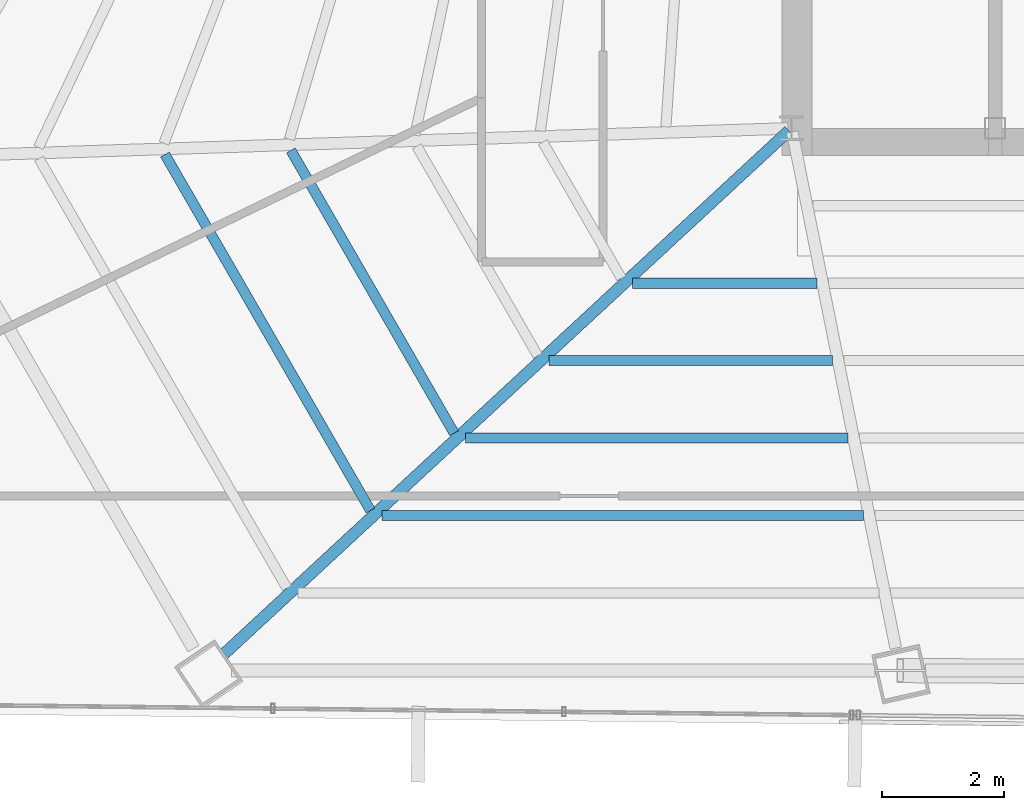
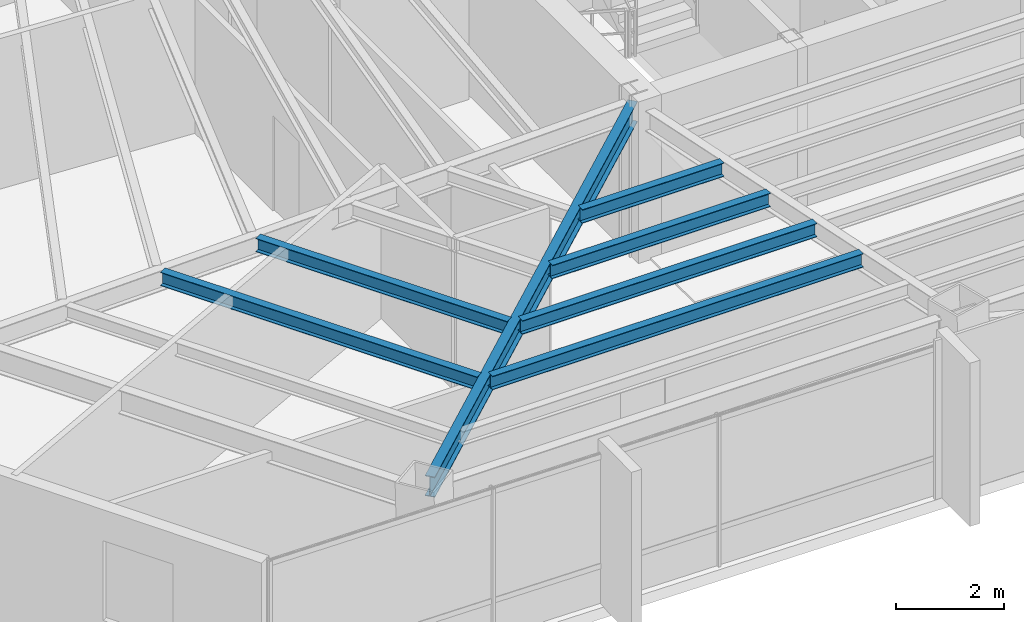
# One storey, part 6 of 41: 7 beams.
"""IFC4 building model written with IfcOpenShell, lengths in metres."""

import ifcopenshell
import ifcopenshell.guid

model = None  # the IFC model being written
_history = None  # IfcOwnerHistory: only IFC2X3 demands one
_inside = {}  # id of a spatial element -> (the spatial element, [elements in it])
_under = {}  # id of a project, library or spatial element -> (it, [spatial elements below it])
_declared = {}  # id of a project -> (the project, [libraries it declares])
_typed = {}  # id of a type object -> (the type object, [elements of that type])
_made_of = {}  # id of a material, layer set ... -> (it, [elements and type objects made of it])


def new_model(schema):
    """Start an empty IFC model of exactly this schema.

    Asked for "IFC4X3", IfcOpenShell would pick the latest addendum, in which some entities
    have other attributes; the version numbers below select the first issue.
    IFC2X3 requires an IfcOwnerHistory on every rooted entity: one is made here for all.
    """
    global model, _history
    if schema == "IFC4X3":
        model = ifcopenshell.file(schema_version=(4, 3, 0, 0))
    else:
        model = ifcopenshell.file(schema=schema)
    _inside.clear()
    _under.clear()
    _declared.clear()
    _typed.clear()
    _made_of.clear()
    _history = None
    if model.schema == "IFC2X3":
        org = make("IfcOrganization", Name="unknown")
        user = make(
            "IfcPersonAndOrganization",
            ThePerson=make("IfcPerson", FamilyName="unknown"),
            TheOrganization=org,
        )
        app = make(
            "IfcApplication",
            ApplicationDeveloper=org,
            Version="unknown",
            ApplicationFullName="unknown",
            ApplicationIdentifier="unknown",
        )
        _history = make(
            "IfcOwnerHistory",
            OwningUser=user,
            OwningApplication=app,
            ChangeAction="ADDED",
            CreationDate=0,
        )
    return model


def make(cls, **values):
    """One entity of the class cls with the attributes given. An attribute that is None is left unset."""
    return model.create_entity(
        cls, **{name: value for name, value in values.items() if value is not None}
    )


def rooted(cls, **values):
    """An entity with a GlobalId (a new one), such as an element, a storey or a relation."""
    return make(cls, GlobalId=ifcopenshell.guid.new(), OwnerHistory=_history, **values)


def si_unit(unit_type, name, prefix=None):
    """IfcSIUnit, for example si_unit("LENGTHUNIT", "METRE", prefix="MILLI")."""
    return make("IfcSIUnit", UnitType=unit_type, Prefix=prefix, Name=name)


def assignment(units):
    """IfcUnitAssignment: the units of a project."""
    return None if units is None else make("IfcUnitAssignment", Units=units)


def point(xyz):
    """IfcCartesianPoint."""
    return None if xyz is None else make("IfcCartesianPoint", Coordinates=xyz)


def direction(xyz):
    """IfcDirection."""
    return None if xyz is None else make("IfcDirection", DirectionRatios=xyz)


def frame(location, z_axis=None, x_axis=None):
    """IfcAxis2Placement3D, a coordinate frame: its origin and axes. An axis left out is left unset."""
    return make(
        "IfcAxis2Placement3D",
        Location=point(location),
        Axis=direction(z_axis),
        RefDirection=direction(x_axis),
    )


def frame_2d(location, x_axis=None):
    """IfcAxis2Placement2D, a coordinate frame in the plane: its origin and x axis."""
    return make(
        "IfcAxis2Placement2D", Location=point(location), RefDirection=direction(x_axis)
    )


def origin():
    """The frame at (0, 0, 0) with its axes left unset."""
    return frame((0.0, 0.0, 0.0))


def origin_2d():
    """The frame at (0, 0) in the plane with its x axis left unset."""
    return frame_2d((0.0, 0.0))


def place(relative_to, where):
    """IfcLocalPlacement: puts the frame where relative to a parent placement (None: the world)."""
    return make(
        "IfcLocalPlacement", PlacementRelTo=relative_to, RelativePlacement=where
    )


def context(
    kind, dimensions, precision=None, world=None, true_north=None, identifier=None
):
    """IfcGeometricRepresentationContext, for example the 3D "Model" context."""
    return make(
        "IfcGeometricRepresentationContext",
        ContextIdentifier=identifier,
        ContextType=kind,
        CoordinateSpaceDimension=dimensions,
        Precision=precision,
        WorldCoordinateSystem=world,
        TrueNorth=true_north,
    )


def subcontext(parent, identifier, kind, view, scale=None):
    """IfcGeometricRepresentationSubContext, for example "Body" below "Model"."""
    return make(
        "IfcGeometricRepresentationSubContext",
        ContextIdentifier=identifier,
        ContextType=kind,
        ParentContext=parent,
        TargetScale=scale,
        TargetView=view,
    )


def project(units=None, contexts=None):
    """IfcProject with its units and contexts."""
    return rooted(
        "IfcProject",
        Name="project",
        RepresentationContexts=contexts,
        UnitsInContext=assignment(units),
    )


def spatial(cls, under=None, at=None, **own):
    """A site, building, storey or space (cls), placed at a placement, below another one or the project."""
    s = rooted(cls, ObjectPlacement=at, **own)
    if under is not None:
        _under.setdefault(under.id(), (under, []))[1].append(s)
    return s


def profile(cls, at=None, kind="AREA", **sizes):
    """A parametric profile (cls). Its sizes go by their IFC names, for example OverallWidth=200.0."""
    return make(cls, ProfileType=kind, Position=at, **sizes)


def i_section(**sizes):
    """IfcIShapeProfileDef."""
    return profile("IfcIShapeProfileDef", **sizes)


def extrude(swept, where, along, depth):
    """IfcExtrudedAreaSolid: the profile swept, set in the frame where, extruded along a direction by depth."""
    return make(
        "IfcExtrudedAreaSolid",
        SweptArea=swept,
        Position=where,
        ExtrudedDirection=direction(along),
        Depth=depth,
    )


def shape(context_of_items, identifier, shape_type, items):
    """IfcShapeRepresentation: the items that make up one representation, for example the "Body"."""
    return make(
        "IfcShapeRepresentation",
        ContextOfItems=context_of_items,
        RepresentationIdentifier=identifier,
        RepresentationType=shape_type,
        Items=items,
    )


def source(mapping_origin, context_of_items, identifier, shape_type, items):
    """IfcRepresentationMap: a shape defined once, which mapped items show again and again."""
    return make(
        "IfcRepresentationMap",
        MappingOrigin=mapping_origin,
        MappedRepresentation=shape(context_of_items, identifier, shape_type, items),
    )


def transform(
    local_origin,
    x_axis=None,
    y_axis=None,
    z_axis=None,
    scale=None,
    scale2=None,
    scale3=None,
    uniform=True,
):
    """IfcCartesianTransformationOperator3D, or its non-uniform kind. x_axis, y_axis, z_axis: its Axis1, 2, 3."""
    if uniform:
        return make(
            "IfcCartesianTransformationOperator3D",
            Axis1=direction(x_axis),
            Axis2=direction(y_axis),
            LocalOrigin=point(local_origin),
            Scale=scale,
            Axis3=direction(z_axis),
        )
    return make(
        "IfcCartesianTransformationOperator3DnonUniform",
        Axis1=direction(x_axis),
        Axis2=direction(y_axis),
        LocalOrigin=point(local_origin),
        Scale=scale,
        Axis3=direction(z_axis),
        Scale2=scale2,
        Scale3=scale3,
    )


def mapped(mapping_source, mapping_target):
    """IfcMappedItem: shows the shape of a source again, moved by a transform."""
    return make(
        "IfcMappedItem", MappingSource=mapping_source, MappingTarget=mapping_target
    )


def material(Name=None, Category=None):
    """IfcMaterial."""
    return make("IfcMaterial", Name=Name, Category=Category)


def material_profile(
    of_material, cross_section, Name=None, Category=None, Priority=None
):
    """IfcMaterialProfile: a cross section and its material."""
    return make(
        "IfcMaterialProfile",
        Name=Name,
        Material=of_material,
        Profile=cross_section,
        Priority=Priority,
        Category=Category,
    )


def profile_set(profiles, Name=None, composite=None):
    """IfcMaterialProfileSet."""
    return make(
        "IfcMaterialProfileSet",
        Name=Name,
        MaterialProfiles=profiles,
        CompositeProfile=composite,
    )


def made_of(thing, what):
    """Note that an element or type object is made of a material, layer set ...; save() writes the relation."""
    if what is not None:
        _made_of.setdefault(what.id(), (what, []))[1].append(thing)
    return thing


def type_object(cls, material=None, **own):
    """A type object (cls), such as IfcWallType, which elements share."""
    return made_of(rooted(cls, **own), material)


def type_shapes(of_type, sources):
    """Give a type object the sources (RepresentationMaps) that its elements show as mapped items."""
    of_type.RepresentationMaps = sources


def element(
    cls,
    number,
    at=None,
    inside=None,
    cuts=None,
    type_object=None,
    material=None,
    context=None,
    identifier="Body",
    shape_type=None,
    held_by="IfcProductDefinitionShape",
    body=None,
    shapes=None,
    **own,
):
    """One element of the class cls, such as IfcWall. Its Tag is "e" and its number.

    at: its placement. inside: the storey or other place that contains it. cuts: it is an
    opening in that element (IfcRelVoidsElement). A single representation is given by context,
    identifier, shape_type and body (its items); several are given by shapes. held_by: the class
    of the entity that holds the representations. save() writes the other relations.
    """
    e = rooted(cls, Tag="e%d" % number, ObjectPlacement=at, **own)
    if body is not None:
        shapes = [shape(context, identifier, shape_type, body)]
    if shapes is not None:
        e.Representation = make(held_by, Representations=shapes)
    if inside is not None:
        _inside.setdefault(inside.id(), (inside, []))[1].append(e)
    if cuts is not None:
        rooted(
            "IfcRelVoidsElement", RelatingBuildingElement=cuts, RelatedOpeningElement=e
        )
    if type_object is not None:
        _typed.setdefault(type_object.id(), (type_object, []))[1].append(e)
    return made_of(e, material)


def aggregate(whole, parts):
    """IfcRelAggregates: a whole, such as a stair, and the parts it consists of."""
    return rooted("IfcRelAggregates", RelatingObject=whole, RelatedObjects=parts)


def save(model, path):
    """Write the relations noted so far, then the file.

    IfcRelAggregates (storeys below a building ...), IfcRelContainedInSpatialStructure (elements
    in a storey), IfcRelDefinesByType, IfcRelAssociatesMaterial and IfcRelDeclares: one each for
    every whole, place, type object, material and project.
    """
    for whole, parts in _under.values():
        aggregate(whole, parts)
    for where, things in _inside.values():
        rooted(
            "IfcRelContainedInSpatialStructure",
            RelatedElements=things,
            RelatingStructure=where,
        )
    for kind, things in _typed.values():
        rooted("IfcRelDefinesByType", RelatedObjects=things, RelatingType=kind)
    for what, things in _made_of.values():
        rooted("IfcRelAssociatesMaterial", RelatedObjects=things, RelatingMaterial=what)
    for by, libraries in _declared.values():
        rooted("IfcRelDeclares", RelatingContext=by, RelatedDefinitions=libraries)
    model.write(path)


model = new_model("IFC4")

# Units and contexts
model_context = context("Model", 3, precision=1e-05, world=origin(), true_north=direction((0.0, 1.0)))
body_context = subcontext(model_context, "Body", "Model", "MODEL_VIEW")
ifc_project = project(units=[si_unit("LENGTHUNIT", "METRE"), si_unit("AREAUNIT", "SQUARE_METRE"), si_unit("VOLUMEUNIT", "CUBIC_METRE"), si_unit("PLANEANGLEUNIT", "RADIAN"), si_unit("MASSUNIT", "GRAM", prefix="KILO")], contexts=[model_context])

# Site, building, storey
site_placement = place(None, origin())
site = spatial("IfcSite", under=ifc_project, at=site_placement, CompositionType="ELEMENT")
building_placement = place(site_placement, origin())
building = spatial("IfcBuilding", under=site, at=building_placement, Name="Caelisora Broadcast Tower", CompositionType="ELEMENT")
storey_placement = place(building_placement, frame((0.0, 0.0, 209.60009765625)))
storey = spatial("IfcBuildingStorey", under=building, at=storey_placement, Name="L55", CompositionType="ELEMENT", Elevation=209.60009765625)

# Beams
ifc_material = material(Name="Steel Grade 350 (AS/NZS 3679.1)", Category="steel")
ifc_material_profile_1 = material_profile(ifc_material, i_section(OverallWidth=0.19091796875, OverallDepth=0.46044921875, WebThickness=0.010009765625, FlangeThickness=0.01611328125, at=origin_2d()), Name="Steel Grade 350 (AS/NZS 3679.1)")
ifc_profile_set_1 = profile_set([ifc_material_profile_1], Name="Steel Grade 350 (AS/NZS 3679.1)")
beam_type_1 = type_object("IfcBeamType", Name="PG06", PredefinedType="BEAM", material=ifc_profile_set_1)
shared_shape_1 = source(origin(), body_context, "Body", "SweptSolid", [
    extrude(i_section(OverallWidth=0.19091796875, OverallDepth=0.46044921875, WebThickness=0.010009765625, FlangeThickness=0.01611328125, at=origin_2d()), origin(), (0.0, 0.0, 1.0), 12.6943359375),
])
type_shapes(beam_type_1, [shared_shape_1])
beam_1_placement = place(storey_placement, frame((30.4560546875, 17.359130859375, 3.169677734375), z_axis=(-0.733629984025, -0.679549149466, 0.0), x_axis=(0.679549149466, -0.733629984025, 0.0)))
element("IfcBeam", 1, at=beam_1_placement, inside=storey, type_object=beam_type_1, Name="L55 beam PG06", PredefinedType="BEAM", context=body_context, shape_type="MappedRepresentation", body=[
    mapped(shared_shape_1, transform((0.0, 0.0, 0.0), scale=1.0)),
])
ifc_material_profile_2 = material_profile(ifc_material, i_section(OverallWidth=0.166015625, OverallDepth=0.30712890625, WebThickness=0.006591796875, FlangeThickness=0.01171875, at=origin_2d()), Name="Steel Grade 350 (AS/NZS 3679.1)")
ifc_profile_set_2 = profile_set([ifc_material_profile_2], Name="Steel Grade 350 (AS/NZS 3679.1)")
beam_type_2 = type_object("IfcBeamType", Name="SB03", PredefinedType="JOIST", material=ifc_profile_set_2)
shared_shape_2 = source(origin(), body_context, "Body", "SweptSolid", [
    extrude(i_section(OverallWidth=0.166015625, OverallDepth=0.30712890625, WebThickness=0.006591796875, FlangeThickness=0.01171875, at=origin_2d()), origin(), (0.0, 0.0, 1.0), 5.373291015625),
])
beam_2_placement = place(storey_placement, frame((22.261474609375, 17.036865234375, 3.246337890625), z_axis=(0.499970234539, -0.866042588199, 0.0), x_axis=(0.866042588199, 0.499970234539, 0.0)))
element("IfcBeam", 2, at=beam_2_placement, inside=storey, type_object=beam_type_2, Name="L55 beam SB03", PredefinedType="JOIST", context=body_context, shape_type="MappedRepresentation", body=[
    mapped(shared_shape_2, transform((0.0, 0.0, 0.0), scale=1.0)),
])
shared_shape_3 = source(origin(), body_context, "Body", "SweptSolid", [
    extrude(i_section(OverallWidth=0.166015625, OverallDepth=0.30712890625, WebThickness=0.006591796875, FlangeThickness=0.01171875, at=origin_2d()), origin(), (0.0, 0.0, 1.0), 6.766357421875),
])
beam_3_placement = place(storey_placement, frame((20.188720703125, 16.96875, 3.246337890625), z_axis=(0.500011875296, -0.866018547471, 0.0), x_axis=(0.866018547471, 0.500011875296, 0.0)))
element("IfcBeam", 3, at=beam_3_placement, inside=storey, type_object=beam_type_2, Name="L55 beam SB03", PredefinedType="JOIST", context=body_context, shape_type="MappedRepresentation", body=[
    mapped(shared_shape_3, transform((0.0, 0.0, 0.0), scale=1.0)),
])
shared_shape_4 = source(origin(), body_context, "Body", "SweptSolid", [
    extrude(i_section(OverallWidth=0.166015625, OverallDepth=0.30712890625, WebThickness=0.006591796875, FlangeThickness=0.01171875, at=origin_2d()), origin(), (0.0, 0.0, 1.0), 3.031494140625),
])
beam_4_placement = place(storey_placement, frame((27.88525390625, 14.8505859375, 3.246337890625), z_axis=(1.0, 0.0, 0.0), x_axis=(0.0, 1.0, 0.0)))
element("IfcBeam", 4, at=beam_4_placement, inside=storey, type_object=beam_type_2, Name="L55 beam SB03", PredefinedType="JOIST", context=body_context, shape_type="MappedRepresentation", body=[
    mapped(shared_shape_4, transform((0.0, 0.0, 0.0), scale=1.0)),
])
shared_shape_5 = source(origin(), body_context, "Body", "SweptSolid", [
    extrude(i_section(OverallWidth=0.166015625, OverallDepth=0.30712890625, WebThickness=0.006591796875, FlangeThickness=0.01171875, at=origin_2d()), origin(), (0.0, 0.0, 1.0), 4.6630859375),
])
beam_5_placement = place(storey_placement, frame((26.50927734375, 13.575927734375, 3.246337890625), z_axis=(1.0, 0.0, 0.0), x_axis=(0.0, 1.0, 0.0)))
element("IfcBeam", 5, at=beam_5_placement, inside=storey, type_object=beam_type_2, Name="L55 beam SB03", PredefinedType="JOIST", context=body_context, shape_type="MappedRepresentation", body=[
    mapped(shared_shape_5, transform((0.0, 0.0, 0.0), scale=1.0)),
])
shared_shape_6 = source(origin(), body_context, "Body", "SweptSolid", [
    extrude(i_section(OverallWidth=0.166015625, OverallDepth=0.30712890625, WebThickness=0.006591796875, FlangeThickness=0.01171875, at=origin_2d()), origin(), (0.0, 0.0, 1.0), 6.294921875),
])
beam_6_placement = place(storey_placement, frame((25.133056640625, 12.30126953125, 3.246337890625), z_axis=(1.0, 0.0, 0.0), x_axis=(0.0, 1.0, 0.0)))
element("IfcBeam", 6, at=beam_6_placement, inside=storey, type_object=beam_type_2, Name="L55 beam SB03", PredefinedType="JOIST", context=body_context, shape_type="MappedRepresentation", body=[
    mapped(shared_shape_6, transform((0.0, 0.0, 0.0), scale=1.0)),
])
shared_shape_7 = source(origin(), body_context, "Body", "SweptSolid", [
    extrude(i_section(OverallWidth=0.166015625, OverallDepth=0.30712890625, WebThickness=0.006591796875, FlangeThickness=0.01171875, at=origin_2d()), origin(), (0.0, 0.0, 1.0), 7.926513671875),
])
type_shapes(beam_type_2, [shared_shape_2, shared_shape_3, shared_shape_4, shared_shape_5, shared_shape_6, shared_shape_7])
beam_7_placement = place(storey_placement, frame((23.757080078125, 11.026611328125, 3.246337890625), z_axis=(1.0, 0.0, 0.0), x_axis=(0.0, 1.0, 0.0)))
element("IfcBeam", 7, at=beam_7_placement, inside=storey, type_object=beam_type_2, Name="L55 beam SB03", PredefinedType="JOIST", context=body_context, shape_type="MappedRepresentation", body=[
    mapped(shared_shape_7, transform((0.0, 0.0, 0.0), scale=1.0)),
])

save(model, "model.ifc")
